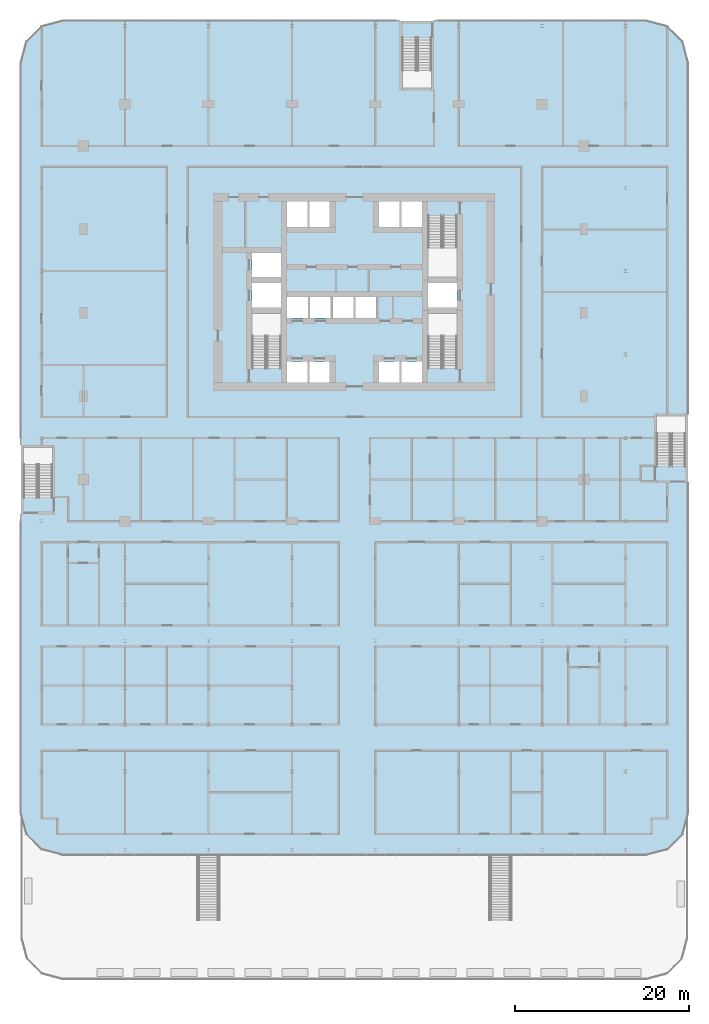
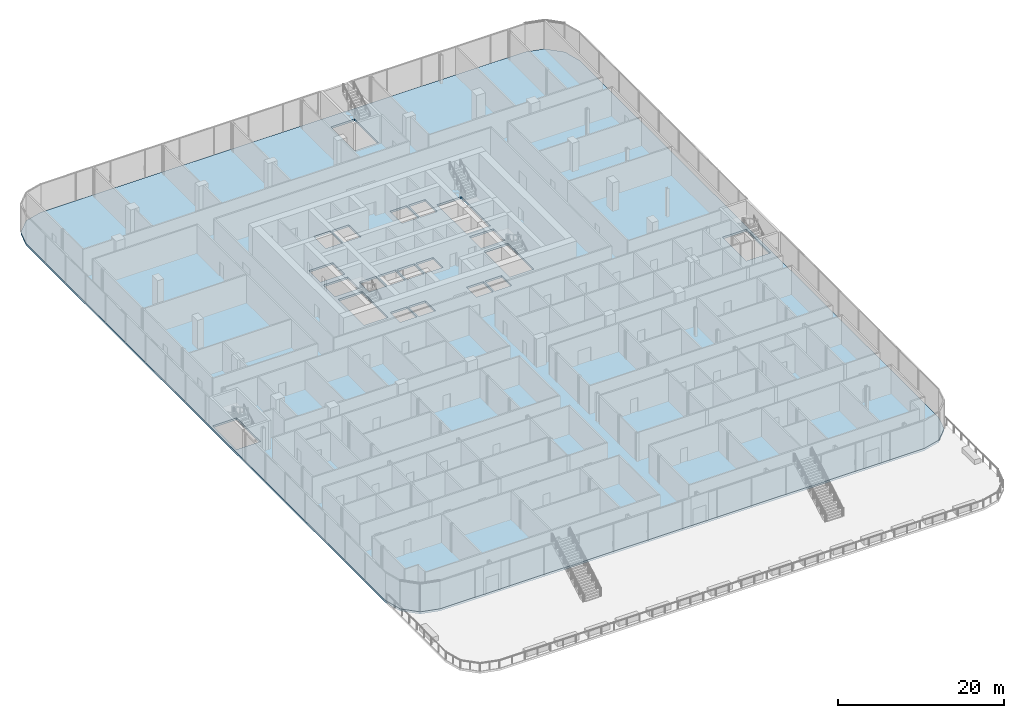
# One storey, part 26 of 45: 1 slab.
"""IFC4 building model written with IfcOpenShell, lengths in metres."""

from ifc_helpers import new_model, si_unit, direction, frame, origin, place, context, subcontext, project, spatial, polyline, outline, extrude, material, layer, layer_set, type_object, element, save


model = new_model("IFC4")

# Units and contexts
model_context = context("Model", 3, precision=1e-05, world=origin(), true_north=direction((0.0, 1.0)))
body_context = subcontext(model_context, "Body", "Model", "MODEL_VIEW")
ifc_project = project(units=[si_unit("LENGTHUNIT", "METRE"), si_unit("AREAUNIT", "SQUARE_METRE"), si_unit("VOLUMEUNIT", "CUBIC_METRE"), si_unit("PLANEANGLEUNIT", "RADIAN"), si_unit("MASSUNIT", "GRAM", prefix="KILO")], contexts=[model_context])

# Site, building, storey
site_placement = place(None, origin())
site = spatial("IfcSite", under=ifc_project, at=site_placement, CompositionType="ELEMENT")
building_placement = place(site_placement, origin())
building = spatial("IfcBuilding", under=site, at=building_placement, Name="Madar Terraces", CompositionType="ELEMENT")
storey_placement = place(building_placement, frame((0.0, 0.0, 6.0)))
storey = spatial("IfcBuildingStorey", under=building, at=storey_placement, Name="L01", CompositionType="ELEMENT", Elevation=6.0)

# Slab
ifc_material = material(Name="Concrete C50/60", Category="concrete")
ifc_layer = layer(ifc_material, 0.300048828125)
ifc_layer_set = layer_set([ifc_layer], Name="FS2 PT flat slab 300")
slab_type = type_object("IfcSlabType", Name="FS2 PT flat slab 300", PredefinedType="FLOOR", material=ifc_layer_set)
slab_placement = place(storey_placement, frame((0.0, 0.0, -0.300048828125)))
element("IfcSlab", 1, at=slab_placement, inside=storey, type_object=slab_type, Name="Floor slab L01 (1)", PredefinedType="FLOOR", context=body_context, shape_type="SweptSolid", body=[
    extrude(outline(polyline([(64.800048828125, -38.39990234375), (67.199951171875, -37.7568359375), (68.95703125, -36.0), (69.60009765625, -33.60009765625), (69.60009765625, 52.800048828125), (68.95703125, 55.199951171875), (67.199951171875, 56.95703125), (64.800048828125, 57.60009765625), (-2.39990234375, 57.60009765625), (-4.800048828125, 56.95703125), (-6.556884765625, 55.199951171875), (-7.199951171875, 52.800048828125), (-7.199951171875, -33.60009765625), (-6.556884765625, -36.0), (-4.800048828125, -37.7568359375), (-2.39990234375, -38.39990234375), (64.800048828125, -38.39990234375)]), holes=[polyline([(-6.89990234375, 2.75), (-6.89990234375, 8.5), (-3.550048828125, 8.5), (-3.550048828125, 2.75), (-6.89990234375, 2.75)]), polyline([(23.449951171875, 16.0), (23.449951171875, 18.39990234375), (25.800048828125, 18.39990234375), (25.800048828125, 16.0), (23.449951171875, 16.0)]), polyline([(26.0, 16.0), (26.0, 18.39990234375), (28.35009765625, 18.39990234375), (28.35009765625, 16.0), (26.0, 16.0)]), polyline([(19.39990234375, 23.89990234375), (22.75, 23.89990234375), (22.75, 17.64990234375), (19.39990234375, 17.64990234375), (19.39990234375, 23.89990234375)]), polyline([(23.449951171875, 25.800048828125), (25.86669921875, 25.800048828125), (25.86669921875, 23.39990234375), (23.449951171875, 23.39990234375), (23.449951171875, 25.800048828125)]), polyline([(26.066650390625, 23.39990234375), (26.066650390625, 25.800048828125), (28.4833984375, 25.800048828125), (28.4833984375, 23.39990234375), (26.066650390625, 23.39990234375)]), polyline([(28.683349609375, 23.39990234375), (28.683349609375, 25.800048828125), (31.10009765625, 25.800048828125), (31.10009765625, 23.39990234375), (28.683349609375, 23.39990234375)]), polyline([(19.39990234375, 24.60009765625), (19.39990234375, 27.39990234375), (22.75, 27.39990234375), (22.75, 24.60009765625), (19.39990234375, 24.60009765625)]), polyline([(19.39990234375, 30.89990234375), (22.75, 30.89990234375), (22.75, 28.10009765625), (19.39990234375, 28.10009765625), (19.39990234375, 30.89990234375)]), polyline([(23.449951171875, 36.800048828125), (25.800048828125, 36.800048828125), (25.800048828125, 33.89990234375), (23.449951171875, 33.89990234375), (23.449951171875, 36.800048828125)]), polyline([(26.0, 33.89990234375), (26.0, 36.800048828125), (28.35009765625, 36.800048828125), (28.35009765625, 33.89990234375), (26.0, 33.89990234375)]), polyline([(65.949951171875, 6.35009765625), (65.949951171875, 12.10009765625), (69.300048828125, 12.10009765625), (69.300048828125, 6.35009765625), (65.949951171875, 6.35009765625)]), polyline([(34.050048828125, 16.0), (34.050048828125, 18.39990234375), (36.39990234375, 18.39990234375), (36.39990234375, 16.0), (34.050048828125, 16.0)]), polyline([(36.60009765625, 18.39990234375), (38.949951171875, 18.39990234375), (38.949951171875, 16.0), (36.60009765625, 16.0), (36.60009765625, 18.39990234375)]), polyline([(39.64990234375, 23.89990234375), (43.0, 23.89990234375), (43.0, 17.64990234375), (39.64990234375, 17.64990234375), (39.64990234375, 23.89990234375)]), polyline([(31.300048828125, 23.39990234375), (31.300048828125, 25.800048828125), (33.716552734375, 25.800048828125), (33.716552734375, 23.39990234375), (31.300048828125, 23.39990234375)]), polyline([(39.64990234375, 27.39990234375), (43.0, 27.39990234375), (43.0, 24.60009765625), (39.64990234375, 24.60009765625), (39.64990234375, 27.39990234375)]), polyline([(39.64990234375, 35.14990234375), (43.0, 35.14990234375), (43.0, 28.10009765625), (39.64990234375, 28.10009765625), (39.64990234375, 35.14990234375)]), polyline([(34.050048828125, 33.89990234375), (34.050048828125, 36.800048828125), (36.39990234375, 36.800048828125), (36.39990234375, 33.89990234375), (34.050048828125, 33.89990234375)]), polyline([(36.60009765625, 36.800048828125), (38.949951171875, 36.800048828125), (38.949951171875, 33.89990234375), (36.60009765625, 33.89990234375), (36.60009765625, 36.800048828125)]), polyline([(36.699951171875, 55.64990234375), (40.050048828125, 55.64990234375), (40.050048828125, 49.89990234375), (36.699951171875, 49.89990234375), (36.699951171875, 55.64990234375)])]), origin(), (0.0, 0.0, 1.0), 0.300048828125),
])

save(model, "model.ifc")
